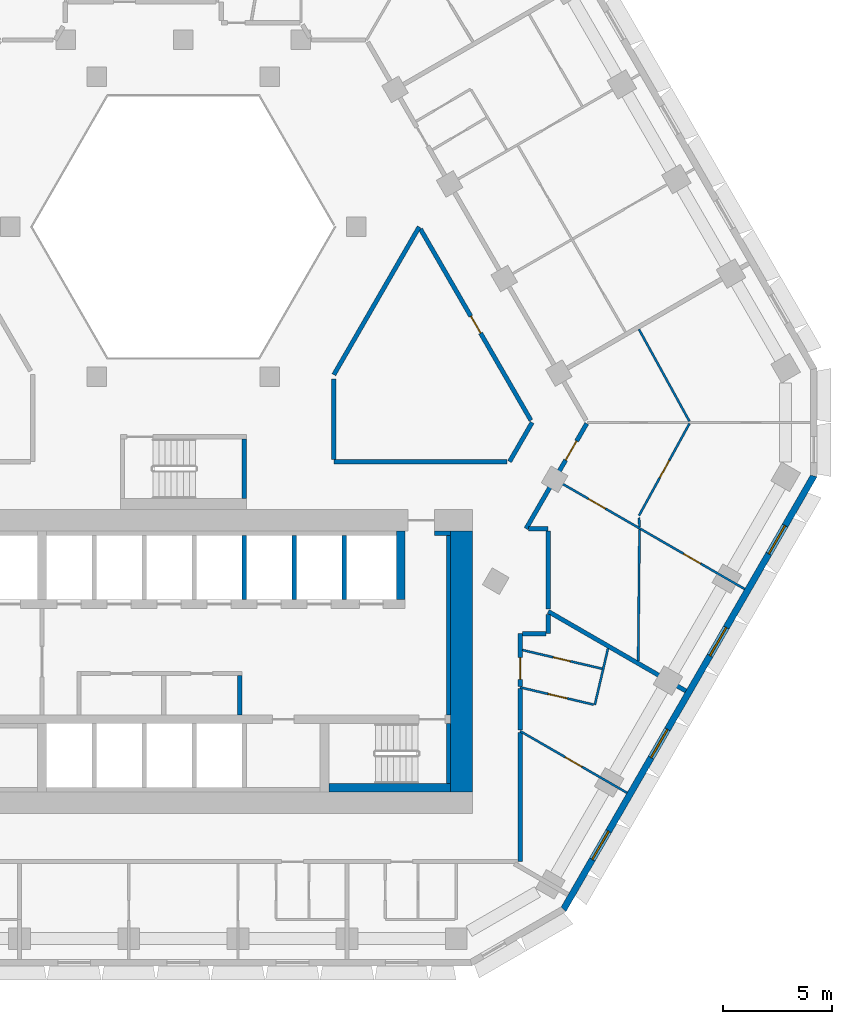
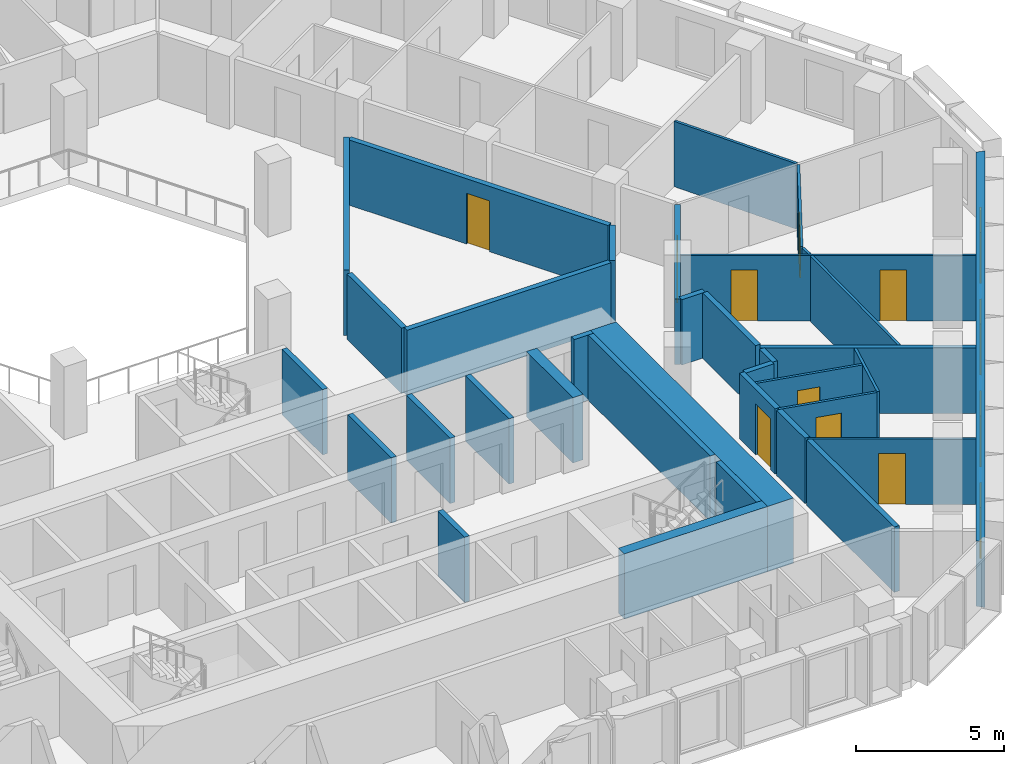
# One storey, part 6 of 15: 35 walls, 9 doors, 4 windows, 13 openings.
"""IFC4 building model written with IfcOpenShell, lengths in metres."""

from ifc_helpers import new_model, si_unit, direction, frame, frame_2d, origin, place, context, subcontext, project, spatial, polyline, rectangle, outline, extrude, material, layer, layer_set, type_object, element, fill, save


model = new_model("IFC4")

# Units and contexts
model_context = context("Model", 3, precision=1e-05, world=origin(), true_north=direction((0.0, 1.0)))
body_context = subcontext(model_context, "Body", "Model", "MODEL_VIEW")
ifc_project = project(units=[si_unit("LENGTHUNIT", "METRE"), si_unit("AREAUNIT", "SQUARE_METRE"), si_unit("VOLUMEUNIT", "CUBIC_METRE"), si_unit("PLANEANGLEUNIT", "RADIAN"), si_unit("MASSUNIT", "GRAM", prefix="KILO")], contexts=[model_context])

# Site, building, storey
site_placement = place(None, origin())
site = spatial("IfcSite", under=ifc_project, at=site_placement, CompositionType="ELEMENT")
building_placement = place(site_placement, origin())
building = spatial("IfcBuilding", under=site, at=building_placement, Name="Beryl Residences", CompositionType="ELEMENT")
storey_placement = place(building_placement, frame((0.0, 0.0, 78.0)))
storey = spatial("IfcBuildingStorey", under=building, at=storey_placement, Name="L23", CompositionType="ELEMENT", Elevation=78.0)

# Wall, openings, windows
ifc_material_1 = material(Name="Composite metal panel with mineral wool insulation")
ifc_layer_1 = layer(ifc_material_1, 0.300048828125)
ifc_layer_set_1 = layer_set([ifc_layer_1], Name="ES1 pale metal composite panel wall 300 mm")
wall_type_1 = type_object("IfcWallType", Name="ES1 pale metal composite panel wall 300 mm", PredefinedType="SOLIDWALL", material=ifc_layer_set_1)
wall_1_placement = place(storey_placement, frame((17.47900390625, -23.425048828125, 0.0), z_axis=(0.0, 0.0, 1.0), x_axis=(0.500035407905, 0.866004960056, 0.0)))
wall_1 = element("IfcWall", 1, at=wall_1_placement, inside=storey, type_object=wall_type_1, Name="ES1 external wall L23 SE", PredefinedType="SOLIDWALL", context=body_context, shape_type="SweptSolid", body=[
    extrude(outline(polyline([(0.0, -0.14990234375), (23.094482421875, -0.14990234375), (23.01416015625, 0.14990234375), (0.080322265625, 0.14990234375), (0.0, -0.14990234375)])), origin(), (0.0, 0.0, 1.0), 2.699951171875),
])
opening_1_placement = place(wall_1_placement, frame((2.677001953125, 0.0, 0.14990234375)))
opening_1 = element("IfcOpeningElement", 2, at=opening_1_placement, cuts=wall_1, Name="Opening W1", PredefinedType="OPENING", context=body_context, shape_type="SweptSolid", body=[
    extrude(rectangle(XDim=1.5, YDim=2.10009765625, at=frame_2d((0.75, 1.050048828125))), frame((0.0, 0.159912109375, 0.0), z_axis=(0.0, -1.0, 0.0), x_axis=(1.0, 0.0, 0.0)), (0.0, 0.0, 1.0), 0.320068359375),
])
opening_2_placement = place(wall_1_placement, frame((8.091064453125, 0.0, 0.14990234375)))
opening_2 = element("IfcOpeningElement", 3, at=opening_2_placement, cuts=wall_1, Name="Opening W1", PredefinedType="OPENING", context=body_context, shape_type="SweptSolid", body=[
    extrude(rectangle(XDim=1.5, YDim=2.10009765625, at=frame_2d((0.75, 1.050048828125))), frame((0.0, 0.159912109375, 0.0), z_axis=(0.0, -1.0, 0.0), x_axis=(1.0, 0.0, 0.0)), (0.0, 0.0, 1.0), 0.320068359375),
])
opening_3_placement = place(wall_1_placement, frame((13.50390625, 0.0, 0.14990234375)))
opening_3 = element("IfcOpeningElement", 4, at=opening_3_placement, cuts=wall_1, Name="Opening W1", PredefinedType="OPENING", context=body_context, shape_type="SweptSolid", body=[
    extrude(rectangle(XDim=1.5, YDim=2.10009765625, at=frame_2d((0.75, 1.050048828125))), frame((0.0, 0.159912109375, 0.0), z_axis=(0.0, -1.0, 0.0), x_axis=(1.0, 0.0, 0.0)), (0.0, 0.0, 1.0), 0.320068359375),
])
opening_4_placement = place(wall_1_placement, frame((18.9169921875, 0.0, 0.14990234375)))
opening_4 = element("IfcOpeningElement", 5, at=opening_4_placement, cuts=wall_1, Name="Opening W1", PredefinedType="OPENING", context=body_context, shape_type="SweptSolid", body=[
    extrude(rectangle(XDim=1.5, YDim=2.10009765625, at=frame_2d((0.75, 1.050048828125))), frame((0.0, 0.159912109375, 0.0), z_axis=(0.0, -1.0, 0.0), x_axis=(1.0, 0.0, 0.0)), (0.0, 0.0, 1.0), 0.320068359375),
])
ifc_material_2 = material(Name="Aluminium and clear glass", Category="aluminium")
window_type = type_object("IfcWindowType", Name="W1 cell window 1500 x 2100 mm", PartitioningType="SINGLE_PANEL", PredefinedType="WINDOW", material=ifc_material_2)
window_1_placement = place(opening_1_placement, origin())
window_1 = element("IfcWindow", 6, at=window_1_placement, inside=storey, type_object=window_type, Name="W1 window L23 SE 2", OverallHeight=2.10009765625, OverallWidth=1.5, PartitioningType="SINGLE_PANEL", PredefinedType="WINDOW", context=body_context, shape_type="SweptSolid", body=[
    extrude(rectangle(XDim=1.5, YDim=2.10009765625, at=frame_2d((0.75, 1.050048828125))), frame((0.0, 0.030029296875, 0.0), z_axis=(0.0, -1.0, 0.0), x_axis=(1.0, 0.0, 0.0)), (0.0, 0.0, 1.0), 0.06005859375),
])
fill(opening_1, window_1)
window_2_placement = place(opening_2_placement, origin())
window_2 = element("IfcWindow", 7, at=window_2_placement, inside=storey, type_object=window_type, Name="W1 window L23 SE 4", OverallHeight=2.10009765625, OverallWidth=1.5, PartitioningType="SINGLE_PANEL", PredefinedType="WINDOW", context=body_context, shape_type="SweptSolid", body=[
    extrude(rectangle(XDim=1.5, YDim=2.10009765625, at=frame_2d((0.75, 1.050048828125))), frame((0.0, 0.030029296875, 0.0), z_axis=(0.0, -1.0, 0.0), x_axis=(1.0, 0.0, 0.0)), (0.0, 0.0, 1.0), 0.06005859375),
])
fill(opening_2, window_2)
window_3_placement = place(opening_3_placement, origin())
window_3 = element("IfcWindow", 8, at=window_3_placement, inside=storey, type_object=window_type, Name="W1 window L23 SE 6", OverallHeight=2.10009765625, OverallWidth=1.5, PartitioningType="SINGLE_PANEL", PredefinedType="WINDOW", context=body_context, shape_type="SweptSolid", body=[
    extrude(rectangle(XDim=1.5, YDim=2.10009765625, at=frame_2d((0.75, 1.050048828125))), frame((0.0, 0.030029296875, 0.0), z_axis=(0.0, -1.0, 0.0), x_axis=(1.0, 0.0, 0.0)), (0.0, 0.0, 1.0), 0.06005859375),
])
fill(opening_3, window_3)
window_4_placement = place(opening_4_placement, origin())
window_4 = element("IfcWindow", 9, at=window_4_placement, inside=storey, type_object=window_type, Name="W1 window L23 SE 8", OverallHeight=2.10009765625, OverallWidth=1.5, PartitioningType="SINGLE_PANEL", PredefinedType="WINDOW", context=body_context, shape_type="SweptSolid", body=[
    extrude(rectangle(XDim=1.5, YDim=2.10009765625, at=frame_2d((0.75, 1.050048828125))), frame((0.0, 0.030029296875, 0.0), z_axis=(0.0, -1.0, 0.0), x_axis=(1.0, 0.0, 0.0)), (0.0, 0.0, 1.0), 0.06005859375),
])
fill(opening_4, window_4)

# Walls
ifc_material_3 = material(Name="Gypsum board partition on steel studs", Category="steel")
ifc_layer_2 = layer(ifc_material_3, 0.10009765625)
ifc_layer_set_2 = layer_set([ifc_layer_2], Name="PT1 partition 100 mm gypsum board on steel studs")
wall_type_2 = type_object("IfcWallType", Name="PT1 partition 100 mm gypsum board on steel studs", PredefinedType="PARTITIONING", material=ifc_layer_set_2)
wall_2_placement = place(storey_placement, frame((20.964111328125, 3.287109375, 0.0), z_axis=(0.0, 0.0, 1.0), x_axis=(0.48115599782, -0.87663499004, 0.0)))
element("IfcWall", 10, at=wall_2_placement, inside=storey, type_object=wall_type_2, Name="Wall PT1 L23 008", PredefinedType="PARTITIONING", context=body_context, shape_type="SweptSolid", body=[
    extrude(rectangle(XDim=4.830078125, YDim=0.10009765625, at=frame_2d((2.4150390625, 0.0))), origin(), (0.0, 0.0, 1.0), 2.699951171875),
])
wall_3_placement = place(storey_placement, frame((20.969970703125, -5.382080078125, 0.0), z_axis=(0.0, 0.0, 1.0), x_axis=(0.042272072097, -0.999106136464, 0.0)))
element("IfcWall", 11, at=wall_3_placement, inside=storey, type_object=wall_type_2, Name="Wall PT1 L23 010", PredefinedType="PARTITIONING", context=body_context, shape_type="SweptSolid", body=[
    extrude(rectangle(XDim=0.427490234375, YDim=0.10009765625, at=frame_2d((0.2138671875, 0.0))), origin(), (0.0, 0.0, 1.0), 2.699951171875),
])

# Wall, opening, door
wall_4_placement = place(storey_placement, frame((15.60009765625, -11.468017578125, 0.0), z_axis=(0.0, 0.0, 1.0), x_axis=(0.973574036597, -0.228371616592, 0.0)))
wall_4 = element("IfcWall", 12, at=wall_4_placement, inside=storey, type_object=wall_type_2, Name="Wall PT1 L23 014", PredefinedType="PARTITIONING", context=body_context, shape_type="SweptSolid", body=[
    extrude(rectangle(XDim=3.7705078125, YDim=0.10009765625, at=frame_2d((1.88525390625, 0.0))), origin(), (0.0, 0.0, 1.0), 2.699951171875),
])
opening_5_placement = place(wall_4_placement, frame((1.458984375, 0.0, 0.0)))
opening_5 = element("IfcOpeningElement", 13, at=opening_5_placement, cuts=wall_4, Name="Opening D0860", PredefinedType="OPENING", context=body_context, shape_type="SweptSolid", body=[
    extrude(rectangle(XDim=0.800048828125, YDim=2.10009765625, at=frame_2d((0.39990234375, 1.050048828125))), frame((0.0, 0.06005859375, 0.0), z_axis=(0.0, -1.0, 0.0), x_axis=(1.0, 0.0, 0.0)), (0.0, 0.0, 1.0), 0.1201171875),
])
ifc_material_4 = material(Name="Timber door leaf", Category="wood")
door_type_1 = type_object("IfcDoorType", Name="D3 bathroom door 800 x 2100 mm", OperationType="SINGLE_SWING_LEFT", PredefinedType="DOOR", material=ifc_material_4)
door_1_placement = place(opening_5_placement, origin())
door_1 = element("IfcDoor", 14, at=door_1_placement, inside=storey, type_object=door_type_1, Name="Door D0860 L23 001", OperationType="SINGLE_SWING_RIGHT", OverallHeight=2.10009765625, OverallWidth=0.800048828125, PredefinedType="DOOR", context=body_context, shape_type="SweptSolid", body=[
    extrude(rectangle(XDim=0.800048828125, YDim=2.10009765625, at=frame_2d((0.39990234375, 1.050048828125))), frame((0.0, 0.02490234375, 0.0), z_axis=(0.0, -1.0, 0.0), x_axis=(1.0, 0.0, 0.0)), (0.0, 0.0, 1.0), 0.050048828125),
])
fill(opening_5, door_1)

wall_5_placement = place(storey_placement, frame((15.5, -13.18701171875, 0.0), z_axis=(0.0, 0.0, 1.0), x_axis=(0.973612163993, -0.228209014119, 0.0)))
wall_5 = element("IfcWall", 15, at=wall_5_placement, inside=storey, type_object=wall_type_2, Name="Wall PT1 L23 015", PredefinedType="PARTITIONING", context=body_context, shape_type="SweptSolid", body=[
    extrude(rectangle(XDim=3.474853515625, YDim=0.10009765625, at=frame_2d((1.7373046875, 0.0))), origin(), (0.0, 0.0, 1.0), 2.699951171875),
])
opening_6_placement = place(wall_5_placement, frame((1.31298828125, 0.0, 0.0)))
opening_6 = element("IfcOpeningElement", 16, at=opening_6_placement, cuts=wall_5, Name="Opening D0861", PredefinedType="OPENING", context=body_context, shape_type="SweptSolid", body=[
    extrude(rectangle(XDim=0.89990234375, YDim=2.10009765625, at=frame_2d((0.449951171875, 1.050048828125))), frame((0.0, 0.06005859375, 0.0), z_axis=(0.0, -1.0, 0.0), x_axis=(1.0, 0.0, 0.0)), (0.0, 0.0, 1.0), 0.1201171875),
])
ifc_material_5 = material(Name="Timber door leaf", Category="wood")
door_type_2 = type_object("IfcDoorType", Name="D2 room door 900 x 2100 mm", OperationType="SINGLE_SWING_LEFT", PredefinedType="DOOR", material=ifc_material_5)
door_2_placement = place(opening_6_placement, origin())
door_2 = element("IfcDoor", 17, at=door_2_placement, inside=storey, type_object=door_type_2, Name="Door D0861 L23 001", OperationType="SINGLE_SWING_LEFT", OverallHeight=2.10009765625, OverallWidth=0.89990234375, PredefinedType="DOOR", context=body_context, shape_type="SweptSolid", body=[
    extrude(rectangle(XDim=0.89990234375, YDim=2.10009765625, at=frame_2d((0.449951171875, 1.050048828125))), frame((0.0, 0.02490234375, 0.0), z_axis=(0.0, -1.0, 0.0), x_axis=(1.0, 0.0, 0.0)), (0.0, 0.0, 1.0), 0.050048828125),
])
fill(opening_6, door_2)

wall_6_placement = place(storey_placement, frame((15.5, -15.199951171875, 0.0), z_axis=(0.0, 0.0, 1.0), x_axis=(0.866035181374, -0.499983064336, 0.0)))
wall_6 = element("IfcWall", 18, at=wall_6_placement, inside=storey, type_object=wall_type_2, Name="Wall PT1 L23 020", PredefinedType="PARTITIONING", context=body_context, shape_type="SweptSolid", body=[
    extrude(rectangle(XDim=5.676513671875, YDim=0.10009765625, at=frame_2d((2.83837890625, 0.0))), origin(), (0.0, 0.0, 1.0), 2.699951171875),
])
opening_7_placement = place(wall_6_placement, frame((2.387939453125, 0.0, 0.0)))
opening_7 = element("IfcOpeningElement", 19, at=opening_7_placement, cuts=wall_6, Name="Opening D0862", PredefinedType="OPENING", context=body_context, shape_type="SweptSolid", body=[
    extrude(rectangle(XDim=0.89990234375, YDim=2.10009765625, at=frame_2d((0.449951171875, 1.050048828125))), frame((0.0, 0.06005859375, 0.0), z_axis=(0.0, -1.0, 0.0), x_axis=(1.0, 0.0, 0.0)), (0.0, 0.0, 1.0), 0.1201171875),
])
door_3_placement = place(opening_7_placement, origin())
door_3 = element("IfcDoor", 20, at=door_3_placement, inside=storey, type_object=door_type_2, Name="Door D0862 L23 001", OperationType="SINGLE_SWING_RIGHT", OverallHeight=2.10009765625, OverallWidth=0.89990234375, PredefinedType="DOOR", context=body_context, shape_type="SweptSolid", body=[
    extrude(rectangle(XDim=0.89990234375, YDim=2.10009765625, at=frame_2d((0.449951171875, 1.050048828125))), frame((0.0, 0.02490234375, 0.0), z_axis=(0.0, -1.0, 0.0), x_axis=(1.0, 0.0, 0.0)), (0.0, 0.0, 1.0), 0.050048828125),
])
fill(opening_7, door_3)

# Wall, openings, doors
wall_7_placement = place(storey_placement, frame((17.1689453125, -3.662109375, 0.0), z_axis=(0.0, 0.0, 1.0), x_axis=(0.866047370643, -0.499961950354, 0.0)))
wall_7 = element("IfcWall", 21, at=wall_7_placement, inside=storey, type_object=wall_type_2, Name="Wall PT1 L23 023", PredefinedType="PARTITIONING", context=body_context, shape_type="SweptSolid", body=[
    extrude(rectangle(XDim=10.000732421875, YDim=0.10009765625, at=frame_2d((5.00048828125, 0.0))), origin(), (0.0, 0.0, 1.0), 2.699951171875),
])
opening_8_placement = place(wall_7_placement, frame((1.7060546875, 0.0, 0.0)))
opening_8 = element("IfcOpeningElement", 22, at=opening_8_placement, cuts=wall_7, Name="Opening D0804", PredefinedType="OPENING", context=body_context, shape_type="SweptSolid", body=[
    extrude(rectangle(XDim=0.89990234375, YDim=2.10009765625, at=frame_2d((0.449951171875, 1.050048828125))), frame((0.0, 0.06005859375, 0.0), z_axis=(0.0, -1.0, 0.0), x_axis=(1.0, 0.0, 0.0)), (0.0, 0.0, 1.0), 0.1201171875),
])
opening_9_placement = place(wall_7_placement, frame((6.757080078125, 0.0, 0.0)))
opening_9 = element("IfcOpeningElement", 23, at=opening_9_placement, cuts=wall_7, Name="Opening D0805", PredefinedType="OPENING", context=body_context, shape_type="SweptSolid", body=[
    extrude(rectangle(XDim=0.89990234375, YDim=2.10009765625, at=frame_2d((0.449951171875, 1.050048828125))), frame((0.0, 0.06005859375, 0.0), z_axis=(0.0, -1.0, 0.0), x_axis=(1.0, 0.0, 0.0)), (0.0, 0.0, 1.0), 0.1201171875),
])
door_4_placement = place(opening_8_placement, origin())
door_4 = element("IfcDoor", 24, at=door_4_placement, inside=storey, type_object=door_type_2, Name="Door D0804 L23 001", OperationType="SINGLE_SWING_RIGHT", OverallHeight=2.10009765625, OverallWidth=0.89990234375, PredefinedType="DOOR", context=body_context, shape_type="SweptSolid", body=[
    extrude(rectangle(XDim=0.89990234375, YDim=2.10009765625, at=frame_2d((0.449951171875, 1.050048828125))), frame((0.0, 0.02490234375, 0.0), z_axis=(0.0, -1.0, 0.0), x_axis=(1.0, 0.0, 0.0)), (0.0, 0.0, 1.0), 0.050048828125),
])
fill(opening_8, door_4)
door_5_placement = place(opening_9_placement, origin())
door_5 = element("IfcDoor", 25, at=door_5_placement, inside=storey, type_object=door_type_2, Name="Door D0805 L23 001", OperationType="SINGLE_SWING_LEFT", OverallHeight=2.10009765625, OverallWidth=0.89990234375, PredefinedType="DOOR", context=body_context, shape_type="SweptSolid", body=[
    extrude(rectangle(XDim=0.89990234375, YDim=2.10009765625, at=frame_2d((0.449951171875, 1.050048828125))), frame((0.0, 0.02490234375, 0.0), z_axis=(0.0, -1.0, 0.0), x_axis=(1.0, 0.0, 0.0)), (0.0, 0.0, 1.0), 0.050048828125),
])
fill(opening_9, door_5)

# Wall, opening, door
wall_8_placement = place(storey_placement, frame((20.966064453125, -5.284912109375, 0.0), z_axis=(0.0, 0.0, 1.0), x_axis=(0.480851410542, 0.876802099096, 0.0)))
wall_8 = element("IfcWall", 26, at=wall_8_placement, inside=storey, type_object=wall_type_2, Name="Wall PT1 L23 040", PredefinedType="PARTITIONING", context=body_context, shape_type="SweptSolid", body=[
    extrude(rectangle(XDim=4.8310546875, YDim=0.10009765625, at=frame_2d((2.41552734375, 0.0))), origin(), (0.0, 0.0, 1.0), 2.699951171875),
])
opening_10_placement = place(wall_8_placement, frame((1.993896484375, 0.0, 0.0)))
opening_10 = element("IfcOpeningElement", 27, at=opening_10_placement, cuts=wall_8, Name="Opening D0802", PredefinedType="OPENING", context=body_context, shape_type="SweptSolid", body=[
    extrude(rectangle(XDim=0.89990234375, YDim=2.10009765625, at=frame_2d((0.449951171875, 1.050048828125))), frame((0.0, 0.06005859375, 0.0), z_axis=(0.0, -1.0, 0.0), x_axis=(1.0, 0.0, 0.0)), (0.0, 0.0, 1.0), 0.1201171875),
])
door_6_placement = place(opening_10_placement, origin())
door_6 = element("IfcDoor", 28, at=door_6_placement, inside=storey, type_object=door_type_2, Name="Door D0802 L23 001", OperationType="SINGLE_SWING_RIGHT", OverallHeight=2.10009765625, OverallWidth=0.89990234375, PredefinedType="DOOR", context=body_context, shape_type="SweptSolid", body=[
    extrude(rectangle(XDim=0.89990234375, YDim=2.10009765625, at=frame_2d((0.449951171875, 1.050048828125))), frame((0.0, 0.02490234375, 0.0), z_axis=(0.0, -1.0, 0.0), x_axis=(1.0, 0.0, 0.0)), (0.0, 0.0, 1.0), 0.050048828125),
])
fill(opening_10, door_6)

# Walls
wall_9_placement = place(storey_placement, frame((18.93310546875, -13.990966796875, 0.0), z_axis=(0.0, 0.0, 1.0), x_axis=(0.228170964135, 0.973621081903, 0.0)))
element("IfcWall", 29, at=wall_9_placement, inside=storey, type_object=wall_type_2, Name="Wall PT1 L23 041", PredefinedType="PARTITIONING", context=body_context, shape_type="SweptSolid", body=[
    extrude(rectangle(XDim=2.664306640625, YDim=0.10009765625, at=frame_2d((1.33203125, 0.0))), origin(), (0.0, 0.0, 1.0), 2.699951171875),
])
wall_10_placement = place(storey_placement, frame((20.929931640625, -11.968017578125, 0.0), z_axis=(0.0, 0.0, 1.0), x_axis=(0.009938100012, 0.999950615865, 0.0)))
element("IfcWall", 30, at=wall_10_placement, inside=storey, type_object=wall_type_2, Name="Wall PT1 L23 046", PredefinedType="PARTITIONING", context=body_context, shape_type="SweptSolid", body=[
    extrude(rectangle(XDim=6.043212890625, YDim=0.10009765625, at=frame_2d((3.021484375, 0.0))), origin(), (0.0, 0.0, 1.0), 2.699951171875),
])
ifc_material_6 = material(Name="Concrete masonry", Category="masonry")
ifc_layer_3 = layer(ifc_material_6, 0.199951171875)
ifc_layer_set_3 = layer_set([ifc_layer_3], Name="PT13 lobby wall 200 mm")
wall_type_3 = type_object("IfcWallType", Name="PT13 lobby wall 200 mm", PredefinedType="PARTITIONING", material=ifc_layer_set_3)
wall_11_placement = place(storey_placement, frame((2.60009765625, -14.449951171875, 0.0), z_axis=(0.0, 0.0, 1.0), x_axis=(0.0, 1.0, 0.0)))
element("IfcWall", 31, at=wall_11_placement, inside=storey, type_object=wall_type_3, Name="Lobby wall 23", PredefinedType="PARTITIONING", context=body_context, shape_type="SweptSolid", body=[
    extrude(rectangle(XDim=1.800048828125, YDim=0.199951171875, at=frame_2d((0.89990234375, 0.0))), origin(), (0.0, 0.0, 1.0), 2.699951171875),
])
wall_12_placement = place(storey_placement, frame((11.550048828125, -6.10009765625, 0.0), z_axis=(0.0, 0.0, 1.0), x_axis=(1.0, 0.0, 0.0)))
element("IfcWall", 32, at=wall_12_placement, inside=storey, type_object=wall_type_3, Name="Lobby wall 29", PredefinedType="PARTITIONING", context=body_context, shape_type="SweptSolid", body=[
    extrude(rectangle(XDim=0.75, YDim=0.199951171875, at=frame_2d((0.375, 0.0))), origin(), (0.0, 0.0, 1.0), 2.699951171875),
])
wall_13_placement = place(storey_placement, frame((12.199951171875, -14.449951171875, 0.0), z_axis=(0.0, 0.0, 1.0), x_axis=(0.0, 1.0, 0.0)))
element("IfcWall", 33, at=wall_13_placement, inside=storey, type_object=wall_type_3, Name="Lobby wall 31", PredefinedType="PARTITIONING", context=body_context, shape_type="SweptSolid", body=[
    extrude(rectangle(XDim=8.25, YDim=0.199951171875, at=frame_2d((4.125, 0.0))), origin(), (0.0, 0.0, 1.0), 2.699951171875),
])
ifc_material_7 = material(Name="Acoustic double stud gypsum board wall")
ifc_layer_4 = layer(ifc_material_7, 0.199951171875)
ifc_layer_set_4 = layer_set([ifc_layer_4], Name="PT3 party wall 200 mm acoustic double stud")
wall_type_4 = type_object("IfcWallType", Name="PT3 party wall 200 mm acoustic double stud", PredefinedType="PARTITIONING", material=ifc_layer_set_4)
wall_14_placement = place(storey_placement, frame((16.7919921875, -9.695068359375, 0.0), z_axis=(0.0, 0.0, 1.0), x_axis=(0.86603765469, -0.499978780208, 0.0)))
element("IfcWall", 34, at=wall_14_placement, inside=storey, type_object=wall_type_4, Name="Wall PT3 L23 006", PredefinedType="PARTITIONING", context=body_context, shape_type="SweptSolid", body=[
    extrude(rectangle(XDim=7.310302734375, YDim=0.199951171875, at=frame_2d((3.6552734375, 0.0))), origin(), (0.0, 0.0, 1.0), 2.699951171875),
])

# Wall, opening, door
ifc_material_8 = material(Name="Double stud gypsum board wall")
ifc_layer_5 = layer(ifc_material_8, 0.199951171875)
ifc_layer_set_5 = layer_set([ifc_layer_5], Name="PT4 corridor wall 200 mm double stud")
wall_type_5 = type_object("IfcWallType", Name="PT4 corridor wall 200 mm double stud", PredefinedType="PARTITIONING", material=ifc_layer_set_5)
wall_15_placement = place(storey_placement, frame((10.9130859375, 7.89892578125, 0.0), z_axis=(0.0, 0.0, 1.0), x_axis=(0.500028940566, -0.866008694296, 0.0)))
wall_15 = element("IfcWall", 35, at=wall_15_placement, inside=storey, type_object=wall_type_5, Name="Wall PT4 L23 005", PredefinedType="PARTITIONING", context=body_context, shape_type="SweptSolid", body=[
    extrude(rectangle(XDim=10.1591796875, YDim=0.199951171875, at=frame_2d((5.07958984375, 0.0))), origin(), (0.0, 0.0, 1.0), 2.699951171875),
])
opening_11_placement = place(wall_15_placement, frame((4.6298828125, 0.0, 0.0)))
opening_11 = element("IfcOpeningElement", 36, at=opening_11_placement, cuts=wall_15, Name="Opening D0864", PredefinedType="OPENING", context=body_context, shape_type="SweptSolid", body=[
    extrude(rectangle(XDim=0.89990234375, YDim=2.10009765625, at=frame_2d((0.449951171875, 1.050048828125))), frame((0.0, 0.10986328125, 0.0), z_axis=(0.0, -1.0, 0.0), x_axis=(1.0, 0.0, 0.0)), (0.0, 0.0, 1.0), 0.219970703125),
])
door_7_placement = place(opening_11_placement, origin())
door_7 = element("IfcDoor", 37, at=door_7_placement, inside=storey, type_object=door_type_2, Name="Door D0864 L23 001", OperationType="SINGLE_SWING_RIGHT", OverallHeight=2.10009765625, OverallWidth=0.89990234375, PredefinedType="DOOR", context=body_context, shape_type="SweptSolid", body=[
    extrude(rectangle(XDim=0.89990234375, YDim=2.10009765625, at=frame_2d((0.449951171875, 1.050048828125))), frame((0.0, 0.02490234375, 0.0), z_axis=(0.0, -1.0, 0.0), x_axis=(1.0, 0.0, 0.0)), (0.0, 0.0, 1.0), 0.050048828125),
])
fill(opening_11, door_7)

# Walls
wall_16_placement = place(storey_placement, frame((6.927978515625, 1.0, 0.0), z_axis=(0.0, 0.0, 1.0), x_axis=(0.0, -1.0, 0.0)))
element("IfcWall", 38, at=wall_16_placement, inside=storey, type_object=wall_type_5, Name="Wall PT4 L23 009", PredefinedType="PARTITIONING", context=body_context, shape_type="SweptSolid", body=[
    extrude(rectangle(XDim=3.698974609375, YDim=0.199951171875, at=frame_2d((1.849609375, 0.0))), origin(), (0.0, 0.0, 1.0), 2.699951171875),
])
wall_17_placement = place(storey_placement, frame((15.5, -13.239013671875, 0.0), z_axis=(0.0, 0.0, 1.0), x_axis=(0.0, -1.0, 0.0)))
element("IfcWall", 39, at=wall_17_placement, inside=storey, type_object=wall_type_5, Name="Wall PT4 L23 010", PredefinedType="PARTITIONING", context=body_context, shape_type="SweptSolid", body=[
    extrude(rectangle(XDim=1.903076171875, YDim=0.199951171875, at=frame_2d((0.95166015625, 0.0))), origin(), (0.0, 0.0, 1.0), 2.699951171875),
])
wall_18_placement = place(storey_placement, frame((16.791015625, -5.985107421875, 0.0), z_axis=(0.0, 0.0, 1.0), x_axis=(0.0, -1.0, 0.0)))
element("IfcWall", 40, at=wall_18_placement, inside=storey, type_object=wall_type_5, Name="Wall PT4 L23 011", PredefinedType="PARTITIONING", context=body_context, shape_type="SweptSolid", body=[
    extrude(rectangle(XDim=3.5927734375, YDim=0.199951171875, at=frame_2d((1.79638671875, 0.0))), origin(), (0.0, 0.0, 1.0), 2.699951171875),
])
wall_19_placement = place(storey_placement, frame((15.886962890625, -5.885009765625, 0.0), z_axis=(0.0, 0.0, 1.0), x_axis=(1.0, 0.0, 0.0)))
element("IfcWall", 41, at=wall_19_placement, inside=storey, type_object=wall_type_5, Name="Wall PT4 L23 013", PredefinedType="PARTITIONING", context=body_context, shape_type="SweptSolid", body=[
    extrude(rectangle(XDim=0.904052734375, YDim=0.199951171875, at=frame_2d((0.4521484375, 0.0))), origin(), (0.0, 0.0, 1.0), 2.699951171875),
])
wall_20_placement = place(storey_placement, frame((15.60107421875, -10.715087890625, 0.0), z_axis=(0.0, 0.0, 1.0), x_axis=(1.0, 0.0, 0.0)))
element("IfcWall", 42, at=wall_20_placement, inside=storey, type_object=wall_type_5, Name="Wall PT4 L23 015", PredefinedType="PARTITIONING", context=body_context, shape_type="SweptSolid", body=[
    extrude(rectangle(XDim=1.08984375, YDim=0.199951171875, at=frame_2d((0.544921875, 0.0))), origin(), (0.0, 0.0, 1.0), 2.699951171875),
])
wall_21_placement = place(storey_placement, frame((6.928955078125, -2.800048828125, 0.0), z_axis=(0.0, 0.0, 1.0), x_axis=(1.0, 0.0, 0.0)))
element("IfcWall", 43, at=wall_21_placement, inside=storey, type_object=wall_type_5, Name="Wall PT4 L23 019", PredefinedType="PARTITIONING", context=body_context, shape_type="SweptSolid", body=[
    extrude(rectangle(XDim=7.966064453125, YDim=0.199951171875, at=frame_2d((3.98291015625, 0.0))), origin(), (0.0, 0.0, 1.0), 2.699951171875),
])
wall_22_placement = place(storey_placement, frame((6.927978515625, 1.199951171875, 0.0), z_axis=(0.0, 0.0, 1.0), x_axis=(0.500055327065, 0.865993458332, 0.0)))
element("IfcWall", 44, at=wall_22_placement, inside=storey, type_object=wall_type_5, Name="Wall PT4 L23 024", PredefinedType="PARTITIONING", context=body_context, shape_type="SweptSolid", body=[
    extrude(rectangle(XDim=7.85107421875, YDim=0.199951171875, at=frame_2d((3.925537109375, 0.0))), origin(), (0.0, 0.0, 1.0), 2.699951171875),
])
wall_23_placement = place(storey_placement, frame((15.010986328125, -2.800048828125, 0.0), z_axis=(0.0, 0.0, 1.0), x_axis=(0.499929208183, 0.866066271601, 0.0)))
element("IfcWall", 45, at=wall_23_placement, inside=storey, type_object=wall_type_5, Name="Wall PT4 L23 025", PredefinedType="PARTITIONING", context=body_context, shape_type="SweptSolid", body=[
    extrude(rectangle(XDim=2.078369140625, YDim=0.199951171875, at=frame_2d((1.0390625, 0.0))), origin(), (0.0, 0.0, 1.0), 2.699951171875),
])

# Wall, opening, door
wall_24_placement = place(storey_placement, frame((15.77099609375, -5.884033203125, 0.0), z_axis=(0.0, 0.0, 1.0), x_axis=(0.499939494019, 0.866060334111, 0.0)))
wall_24 = element("IfcWall", 46, at=wall_24_placement, inside=storey, type_object=wall_type_5, Name="Wall PT4 L23 026", PredefinedType="PARTITIONING", context=body_context, shape_type="SweptSolid", body=[
    extrude(rectangle(XDim=5.582763671875, YDim=0.199951171875, at=frame_2d((2.79150390625, 0.0))), origin(), (0.0, 0.0, 1.0), 2.699951171875),
])
opening_12_placement = place(wall_24_placement, frame((3.64697265625, 0.0, 0.0)))
opening_12 = element("IfcOpeningElement", 47, at=opening_12_placement, cuts=wall_24, Name="Opening D0801", PredefinedType="OPENING", context=body_context, shape_type="SweptSolid", body=[
    extrude(rectangle(XDim=1.0, YDim=2.10009765625, at=frame_2d((0.5, 1.050048828125))), frame((0.0, 0.10986328125, 0.0), z_axis=(0.0, -1.0, 0.0), x_axis=(1.0, 0.0, 0.0)), (0.0, 0.0, 1.0), 0.219970703125),
])
ifc_material_9 = material(Name="Timber door leaf", Category="wood")
door_type_3 = type_object("IfcDoorType", Name="D1 flat entrance door 1000 x 2100 mm", OperationType="SINGLE_SWING_LEFT", PredefinedType="DOOR", material=ifc_material_9)
door_8_placement = place(opening_12_placement, origin())
door_8 = element("IfcDoor", 48, at=door_8_placement, inside=storey, type_object=door_type_3, Name="Door D0801 L23 001", OperationType="SINGLE_SWING_LEFT", OverallHeight=2.10009765625, OverallWidth=1.0, PredefinedType="DOOR", context=body_context, shape_type="SweptSolid", body=[
    extrude(rectangle(XDim=1.0, YDim=2.10009765625, at=frame_2d((0.5, 1.050048828125))), frame((0.0, 0.02490234375, 0.0), z_axis=(0.0, -1.0, 0.0), x_axis=(1.0, 0.0, 0.0)), (0.0, 0.0, 1.0), 0.050048828125),
])
fill(opening_12, door_8)

# Wall
wall_25_placement = place(storey_placement, frame((15.5, -21.198974609375, 0.0), z_axis=(0.0, 0.0, 1.0), x_axis=(0.0, 1.0, 0.0)))
element("IfcWall", 49, at=wall_25_placement, inside=storey, type_object=wall_type_5, Name="Wall PT4 L23 030", PredefinedType="PARTITIONING", context=body_context, shape_type="SweptSolid", body=[
    extrude(rectangle(XDim=5.94189453125, YDim=0.199951171875, at=frame_2d((2.970947265625, 0.0))), origin(), (0.0, 0.0, 1.0), 2.699951171875),
])

# Wall, opening, door
wall_26_placement = place(storey_placement, frame((15.5, -13.135986328125, 0.0), z_axis=(0.0, 0.0, 1.0), x_axis=(0.0, 1.0, 0.0)))
wall_26 = element("IfcWall", 50, at=wall_26_placement, inside=storey, type_object=wall_type_5, Name="Wall PT4 L23 031", PredefinedType="PARTITIONING", context=body_context, shape_type="SweptSolid", body=[
    extrude(rectangle(XDim=2.419921875, YDim=0.199951171875, at=frame_2d((1.2099609375, 0.0))), origin(), (0.0, 0.0, 1.0), 2.699951171875),
])
opening_13_placement = place(wall_26_placement, frame((0.31298828125, 0.0, 0.0)))
opening_13 = element("IfcOpeningElement", 51, at=opening_13_placement, cuts=wall_26, Name="Opening D0859", PredefinedType="OPENING", context=body_context, shape_type="SweptSolid", body=[
    extrude(rectangle(XDim=1.0, YDim=2.10009765625, at=frame_2d((0.5, 1.050048828125))), frame((0.0, 0.10986328125, 0.0), z_axis=(0.0, -1.0, 0.0), x_axis=(1.0, 0.0, 0.0)), (0.0, 0.0, 1.0), 0.219970703125),
])
door_9_placement = place(opening_13_placement, origin())
door_9 = element("IfcDoor", 52, at=door_9_placement, inside=storey, type_object=door_type_3, Name="Door D0859 L23 001", OperationType="SINGLE_SWING_LEFT", OverallHeight=2.10009765625, OverallWidth=1.0, PredefinedType="DOOR", context=body_context, shape_type="SweptSolid", body=[
    extrude(rectangle(XDim=1.0, YDim=2.10009765625, at=frame_2d((0.5, 1.050048828125))), frame((0.0, 0.02490234375, 0.0), z_axis=(0.0, -1.0, 0.0), x_axis=(1.0, 0.0, 0.0)), (0.0, 0.0, 1.0), 0.050048828125),
])
fill(opening_13, door_9)

# Walls
wall_27_placement = place(storey_placement, frame((16.791015625, -10.715087890625, 0.0), z_axis=(0.0, 0.0, 1.0), x_axis=(0.0, 1.0, 0.0)))
element("IfcWall", 53, at=wall_27_placement, inside=storey, type_object=wall_type_5, Name="Wall PT4 L23 032", PredefinedType="PARTITIONING", context=body_context, shape_type="SweptSolid", body=[
    extrude(rectangle(XDim=0.885009765625, YDim=0.199951171875, at=frame_2d((0.4423828125, 0.0))), origin(), (0.0, 0.0, 1.0), 2.699951171875),
])
ifc_material_10 = material(Name="Concrete C40/50", Category="concrete")
ifc_layer_6 = layer(ifc_material_10, 0.199951171875)
ifc_layer_set_6 = layer_set([ifc_layer_6], Name="PT5 stair enclosure wall 200 mm reinforced concrete C40/50")
wall_type_6 = type_object("IfcWallType", Name="PT5 stair enclosure wall 200 mm reinforced concrete C40/50", PredefinedType="SOLIDWALL", material=ifc_layer_set_6)
for number, where, z_axis, x_axis, name in (
    (54, (2.800048828125, -4.5, 0.0), (0.0, 0.0, 1.0), (0.0, 1.0, 0.0), "Wall PT5 L23 003"),
    (55, (12.199951171875, -17.60009765625, 0.0), (0.0, 0.0, 1.0), (0.0, 1.0, 0.0), "Stair wall 30"),
):
    element("IfcWall", number, at=place(storey_placement, frame(where, z_axis=z_axis, x_axis=x_axis)), inside=storey, type_object=wall_type_6, Name=name, PredefinedType="SOLIDWALL", context=body_context, shape_type="SweptSolid", body=[
        extrude(rectangle(XDim=2.75, YDim=0.199951171875, at=frame_2d((1.375, 0.0))), origin(), (0.0, 0.0, 1.0), 2.699951171875),
    ])
ifc_material_11 = material(Name="Concrete C40/50", Category="concrete")
ifc_layer_7 = layer(ifc_material_11, 0.39990234375)
ifc_layer_set_7 = layer_set([ifc_layer_7], Name="PT5-400 stair enclosure wall 400 mm")
wall_type_7 = type_object("IfcWallType", Name="PT5-400 stair enclosure wall 400 mm", PredefinedType="SOLIDWALL", material=ifc_layer_set_7)
wall_28_placement = place(storey_placement, frame((6.699951171875, -17.800048828125, 0.0), z_axis=(0.0, 0.0, 1.0), x_axis=(1.0, 0.0, 0.0)))
element("IfcWall", 56, at=wall_28_placement, inside=storey, type_object=wall_type_7, Name="Stair wall 27", PredefinedType="SOLIDWALL", context=body_context, shape_type="SweptSolid", body=[
    extrude(rectangle(XDim=5.60009765625, YDim=0.39990234375, at=frame_2d((2.800048828125, 0.0))), origin(), (0.0, 0.0, 1.0), 2.699951171875),
])
ifc_material_12 = material(Name="Concrete C40/50", Category="concrete")
ifc_layer_8 = layer(ifc_material_12, 0.199951171875)
ifc_layer_set_8 = layer_set([ifc_layer_8], Name="PT6 lift shaft wall 200 mm reinforced concrete C40/50")
wall_type_8 = type_object("IfcWallType", Name="PT6 lift shaft wall 200 mm reinforced concrete C40/50", PredefinedType="SOLIDWALL", material=ifc_layer_set_8)
for number, where, z_axis, x_axis, name in (
    (57, (2.800048828125, -9.14990234375, 0.0), (0.0, 0.0, 1.0), (0.0, 1.0, 0.0), "Lift shaft wall 25"),
    (58, (5.10009765625, -9.14990234375, 0.0), (0.0, 0.0, 1.0), (0.0, 1.0, 0.0), "Lift shaft wall 26"),
    (59, (7.39990234375, -9.14990234375, 0.0), (0.0, 0.0, 1.0), (0.0, 1.0, 0.0), "Lift shaft wall 28"),
):
    element("IfcWall", number, at=place(storey_placement, frame(where, z_axis=z_axis, x_axis=x_axis)), inside=storey, type_object=wall_type_8, Name=name, PredefinedType="SOLIDWALL", context=body_context, shape_type="SweptSolid", body=[
        extrude(rectangle(XDim=2.949951171875, YDim=0.199951171875, at=frame_2d((1.47509765625, 0.0))), origin(), (0.0, 0.0, 1.0), 2.699951171875),
    ])
ifc_material_13 = material(Name="Concrete C70/85", Category="concrete")
ifc_layer_9 = layer(ifc_material_13, 1.0)
ifc_layer_set_9 = layer_set([ifc_layer_9], Name="SW2 core outer wall 1000 mm C70/85")
wall_type_9 = type_object("IfcWallType", Name="SW2 core outer wall 1000 mm C70/85", PredefinedType="SHEAR", material=ifc_layer_set_9)
wall_29_placement = place(storey_placement, frame((12.800048828125, -18.0, 0.0), z_axis=(0.0, 0.0, 1.0), x_axis=(0.0, 1.0, 0.0)))
element("IfcWall", 60, at=wall_29_placement, inside=storey, type_object=wall_type_9, Name="Core wall E L23", PredefinedType="SHEAR", context=body_context, shape_type="SweptSolid", body=[
    extrude(rectangle(XDim=12.0, YDim=1.0, at=frame_2d((6.0, 0.0))), origin(), (0.0, 0.0, 1.0), 2.699951171875),
])
ifc_material_14 = material(Name="Concrete C70/85", Category="concrete")
ifc_layer_10 = layer(ifc_material_14, 0.39990234375)
ifc_layer_set_10 = layer_set([ifc_layer_10], Name="SW7 core internal wall 400 mm C70/85")
wall_type_10 = type_object("IfcWallType", Name="SW7 core internal wall 400 mm C70/85", PredefinedType="SHEAR", material=ifc_layer_set_10)
wall_30_placement = place(storey_placement, frame((10.0, -9.14990234375, 0.0), z_axis=(0.0, 0.0, 1.0), x_axis=(0.0, 1.0, 0.0)))
element("IfcWall", 61, at=wall_30_placement, inside=storey, type_object=wall_type_10, Name="Core wall XN2 L23", PredefinedType="SHEAR", context=body_context, shape_type="SweptSolid", body=[
    extrude(rectangle(XDim=3.14990234375, YDim=0.39990234375, at=frame_2d((1.574951171875, 0.0))), origin(), (0.0, 0.0, 1.0), 2.699951171875),
])

save(model, "model.ifc")
